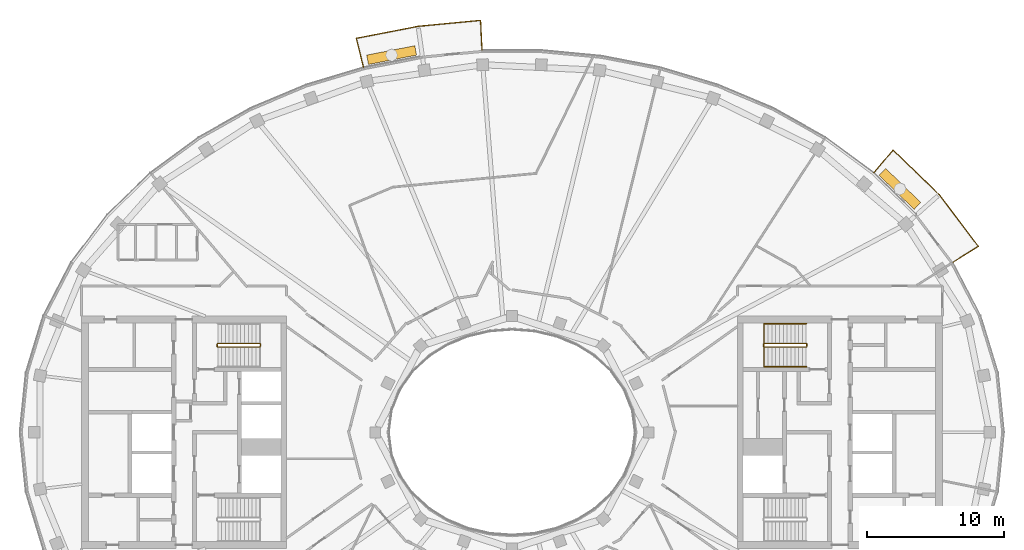
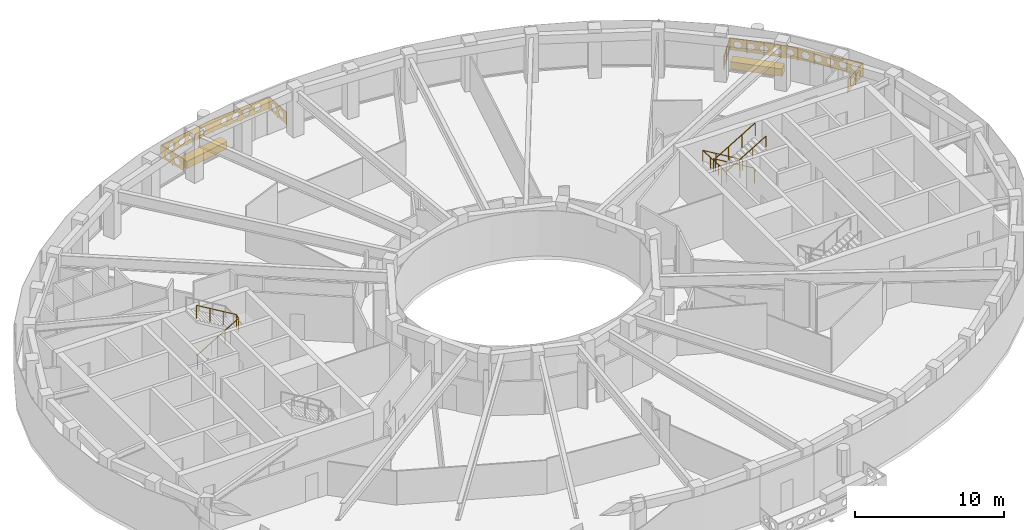
# One storey, part 19 of 20: 5 railings, 2 coverings.
"""IFC4 building model written with IfcOpenShell, lengths in metres."""

from ifc_helpers import new_model, si_unit, direction, frame, origin, origin_2d, place, context, subcontext, project, spatial, polyline, rectangle, outline, extrude, material, type_object, element, save


model = new_model("IFC4")

# Units and contexts
model_context = context("Model", 3, precision=1e-05, world=origin(), true_north=direction((0.0, 1.0)))
body_context = subcontext(model_context, "Body", "Model", "MODEL_VIEW")
ifc_project = project(units=[si_unit("LENGTHUNIT", "METRE"), si_unit("AREAUNIT", "SQUARE_METRE"), si_unit("VOLUMEUNIT", "CUBIC_METRE"), si_unit("PLANEANGLEUNIT", "RADIAN"), si_unit("MASSUNIT", "GRAM", prefix="KILO")], contexts=[model_context])

# Site, building, storey
site_placement = place(None, origin())
site = spatial("IfcSite", under=ifc_project, at=site_placement, CompositionType="ELEMENT")
building_placement = place(site_placement, origin())
building = spatial("IfcBuilding", under=site, at=building_placement, Name="Noorbagh Ring Tower", CompositionType="ELEMENT")
storey_placement = place(building_placement, frame((0.0, 0.0, 323.0)))
storey = spatial("IfcBuildingStorey", under=building, at=storey_placement, Name="L70", CompositionType="ELEMENT", Elevation=323.0)

# Railings
ifc_material_1 = material(Name="Stainless steel", Category="steel")
railing_type_1 = type_object("IfcRailingType", Name="CORE-STAIR-GUARD", PredefinedType="GUARDRAIL", material=ifc_material_1)
railing_1_placement = place(storey_placement, frame((-21.580078125, 6.300048828125, 0.0)))
element("IfcRailing", 1, at=railing_1_placement, inside=storey, type_object=railing_type_1, Name="L70 ST1 stair guard", PredefinedType="GUARDRAIL", context=body_context, shape_type="SweptSolid", body=[
    extrude(rectangle(XDim=0.048095703125, YDim=0.048095703125, at=origin_2d()), frame((0.0, 0.0, 1.076171875), z_axis=(0.0, 1.0, 0.0), x_axis=(-1.0, 0.0, 0.0)), (0.0, 0.0, 1.0), 0.14990234375),
    extrude(rectangle(XDim=0.048095703125, YDim=0.048095703125, at=origin_2d()), frame((0.0, 0.14990234375, 1.076171875), z_axis=(0.188775798145, -0.754182335027, 0.628945707965), x_axis=(0.970072785993, 0.242814311512, 0.0)), (0.0, 0.0, 1.0), 0.26513671875),
    extrude(rectangle(XDim=0.048095703125, YDim=0.048095703125, at=origin_2d()), frame((0.050048828125, -0.050048828125, 1.24267578125), z_axis=(0.859308565015, 0.0, 0.511457515432), x_axis=(0.0, 1.0, 0.0)), (0.0, 0.0, 1.0), 3.58447265625),
    extrude(rectangle(XDim=0.048095703125, YDim=0.048095703125, at=origin_2d()), frame((3.130126953125, -0.050048828125, 3.076171875), z_axis=(0.707106781187, 0.707106781187, 0.0), x_axis=(-0.707106781187, 0.707106781187, 0.0)), (0.0, 0.0, 1.0), 0.07080078125),
    extrude(rectangle(XDim=0.048095703125, YDim=0.048095703125, at=origin_2d()), frame((3.18017578125, 0.0, 3.076171875), z_axis=(0.0, 1.0, 0.0), x_axis=(-1.0, 0.0, 0.0)), (0.0, 0.0, 1.0), 0.14990234375),
    extrude(rectangle(XDim=0.048095703125, YDim=0.048095703125, at=origin_2d()), frame((3.18017578125, 0.14990234375, 3.076171875), z_axis=(-0.27628659633, 0.27628659633, 0.920506074601), x_axis=(-0.707106781187, -0.707106781187, 0.0)), (0.0, 0.0, 1.0), 0.18115234375),
    extrude(rectangle(XDim=0.048095703125, YDim=0.048095703125, at=origin_2d()), frame((3.130126953125, 0.199951171875, 3.24267578125), z_axis=(-0.859308565015, 0.0, 0.511457515432), x_axis=(0.0, -1.0, 0.0)), (0.0, 0.0, 1.0), 3.58447265625),
    extrude(rectangle(XDim=0.0419921875, YDim=0.0419921875, at=origin_2d()), origin(), (0.0, 0.0, 1.0), 1.052001953125),
    extrude(rectangle(XDim=0.0419921875, YDim=0.0419921875, at=origin_2d()), frame((1.07666015625, -0.050048828125, 0.77783203125)), (0.0, 0.0, 1.0), 1.052001953125),
    extrude(rectangle(XDim=0.0419921875, YDim=0.0419921875, at=origin_2d()), frame((2.103515625, -0.050048828125, 1.388916015625)), (0.0, 0.0, 1.0), 1.052001953125),
    extrude(rectangle(XDim=0.0419921875, YDim=0.0419921875, at=origin_2d()), frame((3.130126953125, -0.050048828125, 2.0)), (0.0, 0.0, 1.0), 1.052001953125),
    extrude(rectangle(XDim=0.0419921875, YDim=0.0419921875, at=origin_2d()), frame((3.130126953125, 0.199951171875, 2.166748046875)), (0.0, 0.0, 1.0), 1.052001953125),
    extrude(rectangle(XDim=0.0419921875, YDim=0.0419921875, at=origin_2d()), frame((2.103515625, 0.199951171875, 2.77783203125)), (0.0, 0.0, 1.0), 1.052001953125),
    extrude(rectangle(XDim=0.0419921875, YDim=0.0419921875, at=origin_2d()), frame((1.07666015625, 0.199951171875, 3.388916015625)), (0.0, 0.0, 1.0), 1.052001953125),
    extrude(rectangle(XDim=0.0419921875, YDim=0.0419921875, at=origin_2d()), frame((0.050048828125, 0.199951171875, 4.0)), (0.0, 0.0, 1.0), 1.052001953125),
])
railing_2_placement = place(storey_placement, frame((21.580078125, 6.449951171875, 0.0)))
element("IfcRailing", 2, at=railing_2_placement, inside=storey, type_object=railing_type_1, Name="L70 ST3 stair guard", PredefinedType="GUARDRAIL", context=body_context, shape_type="SweptSolid", body=[
    extrude(rectangle(XDim=0.048095703125, YDim=0.048095703125, at=origin_2d()), frame((0.0, 0.0, 1.076171875), z_axis=(0.0, -1.0, 0.0), x_axis=(1.0, 0.0, 0.0)), (0.0, 0.0, 1.0), 0.14990234375),
    extrude(rectangle(XDim=0.048095703125, YDim=0.048095703125, at=origin_2d()), frame((0.0, -0.14990234375, 1.076171875), z_axis=(-0.188775798145, 0.754182335027, 0.628945707965), x_axis=(-0.970072785993, -0.242814311512, 0.0)), (0.0, 0.0, 1.0), 0.26513671875),
    extrude(rectangle(XDim=0.048095703125, YDim=0.048095703125, at=origin_2d()), frame((-0.050048828125, 0.050048828125, 1.24267578125), z_axis=(-0.859308565015, 0.0, 0.511457515432), x_axis=(0.0, -1.0, 0.0)), (0.0, 0.0, 1.0), 3.58447265625),
    extrude(rectangle(XDim=0.048095703125, YDim=0.048095703125, at=origin_2d()), frame((-3.130126953125, 0.050048828125, 3.076171875), z_axis=(-0.707106781187, -0.707106781187, 0.0), x_axis=(0.707106781187, -0.707106781187, 0.0)), (0.0, 0.0, 1.0), 0.07080078125),
    extrude(rectangle(XDim=0.048095703125, YDim=0.048095703125, at=origin_2d()), frame((-3.18017578125, 0.0, 3.076171875), z_axis=(0.0, -1.0, 0.0), x_axis=(1.0, 0.0, 0.0)), (0.0, 0.0, 1.0), 0.14990234375),
    extrude(rectangle(XDim=0.048095703125, YDim=0.048095703125, at=origin_2d()), frame((-3.18017578125, -0.14990234375, 3.076171875), z_axis=(0.27628659633, -0.27628659633, 0.920506074601), x_axis=(0.707106781187, 0.707106781187, 0.0)), (0.0, 0.0, 1.0), 0.18115234375),
    extrude(rectangle(XDim=0.048095703125, YDim=0.048095703125, at=origin_2d()), frame((-3.130126953125, -0.199951171875, 3.24267578125), z_axis=(0.859308565015, 0.0, 0.511457515432), x_axis=(0.0, 1.0, 0.0)), (0.0, 0.0, 1.0), 3.58447265625),
    extrude(rectangle(XDim=0.0419921875, YDim=0.0419921875, at=origin_2d()), origin(), (0.0, 0.0, 1.0), 1.052001953125),
    extrude(rectangle(XDim=0.0419921875, YDim=0.0419921875, at=origin_2d()), frame((-1.07666015625, 0.050048828125, 0.77783203125)), (0.0, 0.0, 1.0), 1.052001953125),
    extrude(rectangle(XDim=0.0419921875, YDim=0.0419921875, at=origin_2d()), frame((-2.103515625, 0.050048828125, 1.388916015625)), (0.0, 0.0, 1.0), 1.052001953125),
    extrude(rectangle(XDim=0.0419921875, YDim=0.0419921875, at=origin_2d()), frame((-3.130126953125, 0.050048828125, 2.0)), (0.0, 0.0, 1.0), 1.052001953125),
    extrude(rectangle(XDim=0.0419921875, YDim=0.0419921875, at=origin_2d()), frame((-3.130126953125, -0.199951171875, 2.166748046875)), (0.0, 0.0, 1.0), 1.052001953125),
    extrude(rectangle(XDim=0.0419921875, YDim=0.0419921875, at=origin_2d()), frame((-2.103515625, -0.199951171875, 2.77783203125)), (0.0, 0.0, 1.0), 1.052001953125),
    extrude(rectangle(XDim=0.0419921875, YDim=0.0419921875, at=origin_2d()), frame((-1.07666015625, -0.199951171875, 3.388916015625)), (0.0, 0.0, 1.0), 1.052001953125),
    extrude(rectangle(XDim=0.0419921875, YDim=0.0419921875, at=origin_2d()), frame((-0.050048828125, -0.199951171875, 4.0)), (0.0, 0.0, 1.0), 1.052001953125),
])
ifc_material_2 = material(Name="Stainless steel", Category="steel")
railing_type_2 = type_object("IfcRailingType", Name="CORE-STAIR-HANDRAIL", PredefinedType="HANDRAIL", material=ifc_material_2)
railing_3_placement = place(storey_placement, frame((21.530029296875, 7.949951171875, 0.166748046875)))
element("IfcRailing", 3, at=railing_3_placement, inside=storey, type_object=railing_type_2, Name="L70 ST3 stair handrail", PredefinedType="HANDRAIL", context=body_context, shape_type="SweptSolid", body=[
    extrude(rectangle(XDim=0.048095703125, YDim=0.048095703125, at=origin_2d()), frame((0.0, 0.0, 0.8759765625), z_axis=(-0.859308565015, 0.0, 0.511457515432), x_axis=(0.0, -1.0, 0.0)), (0.0, 0.0, 1.0), 3.58447265625),
    extrude(rectangle(XDim=0.048095703125, YDim=0.048095703125, at=origin_2d()), frame((-3.080078125, 0.0, 2.708984375), z_axis=(0.0, -0.998601747152, 0.052863509014), x_axis=(1.0, 0.0, 0.0)), (0.0, 0.0, 1.0), 3.154296875),
    extrude(rectangle(XDim=0.048095703125, YDim=0.048095703125, at=origin_2d()), frame((-3.080078125, -3.14990234375, 2.8759765625), z_axis=(0.859308565015, 0.0, 0.511457515432), x_axis=(0.0, 1.0, 0.0)), (0.0, 0.0, 1.0), 3.58447265625),
    extrude(rectangle(XDim=0.0419921875, YDim=0.0419921875, at=origin_2d()), origin(), (0.0, 0.0, 1.0), 0.851806640625),
    extrude(rectangle(XDim=0.0419921875, YDim=0.0419921875, at=origin_2d()), frame((-1.026611328125, 0.0, 0.611083984375)), (0.0, 0.0, 1.0), 0.851806640625),
    extrude(rectangle(XDim=0.0419921875, YDim=0.0419921875, at=origin_2d()), frame((-2.053466796875, 0.0, 1.22216796875)), (0.0, 0.0, 1.0), 0.851806640625),
    extrude(rectangle(XDim=0.0419921875, YDim=0.0419921875, at=origin_2d()), frame((-3.080078125, 0.0, 1.833251953125)), (0.0, 0.0, 1.0), 0.851806640625),
    extrude(rectangle(XDim=0.0419921875, YDim=0.0419921875, at=origin_2d()), frame((-3.080078125, -1.050048828125, 1.888916015625)), (0.0, 0.0, 1.0), 0.851806640625),
    extrude(rectangle(XDim=0.0419921875, YDim=0.0419921875, at=origin_2d()), frame((-3.080078125, -2.099853515625, 1.9443359375)), (0.0, 0.0, 1.0), 0.851806640625),
    extrude(rectangle(XDim=0.0419921875, YDim=0.0419921875, at=origin_2d()), frame((-3.080078125, -3.14990234375, 2.0)), (0.0, 0.0, 1.0), 0.851806640625),
    extrude(rectangle(XDim=0.0419921875, YDim=0.0419921875, at=origin_2d()), frame((-2.053466796875, -3.14990234375, 2.611083984375)), (0.0, 0.0, 1.0), 0.851806640625),
    extrude(rectangle(XDim=0.0419921875, YDim=0.0419921875, at=origin_2d()), frame((-1.026611328125, -3.14990234375, 3.22216796875)), (0.0, 0.0, 1.0), 0.851806640625),
    extrude(rectangle(XDim=0.0419921875, YDim=0.0419921875, at=origin_2d()), frame((0.0, -3.14990234375, 3.833251953125)), (0.0, 0.0, 1.0), 0.851806640625),
])
ifc_material_3 = material(Name="Steel S275 black powder-coated", Category="steel")
railing_type_3 = type_object("IfcRailingType", Name="ENV-GUARD", PredefinedType="GUARDRAIL", material=ifc_material_3)
railing_4_placement = place(storey_placement, frame((32.255126953125, 12.434814453125, 0.0)))
element("IfcRailing", 4, at=railing_4_placement, inside=storey, type_object=railing_type_3, Name="Balcony guard BN01", PredefinedType="GUARDRAIL", context=body_context, shape_type="SweptSolid", body=[
    extrude(rectangle(XDim=0.048095703125, YDim=0.048095703125, at=origin_2d()), frame((0.0, 0.0, 1.076171875), z_axis=(0.844852397829, 0.534999463442, 0.0), x_axis=(-0.534999463442, 0.844852397829, 0.0)), (0.0, 0.0, 1.0), 2.207763671875),
    extrude(rectangle(XDim=0.048095703125, YDim=0.048095703125, at=origin_2d()), frame((1.865234375, 1.18115234375, 1.076171875), z_axis=(-0.604001613322, 0.796983093362, 0.0), x_axis=(-0.796983093362, -0.604001613322, 0.0)), (0.0, 0.0, 1.0), 4.7353515625),
    extrude(rectangle(XDim=0.048095703125, YDim=0.048095703125, at=origin_2d()), frame((-0.994873046875, 4.955078125, 1.076171875), z_axis=(-0.717212632946, 0.696854388766, 0.0), x_axis=(-0.696854388766, -0.717212632946, 0.0)), (0.0, 0.0, 1.0), 4.700927734375),
    extrude(rectangle(XDim=0.048095703125, YDim=0.048095703125, at=origin_2d()), frame((-4.366455078125, 8.23095703125, 1.076171875), z_axis=(-0.646413574048, -0.762987215677, 0.0), x_axis=(0.762987215677, -0.646413574048, 0.0)), (0.0, 0.0, 1.0), 2.205322265625),
    extrude(rectangle(XDim=0.0419921875, YDim=0.0419921875, at=origin_2d()), origin(), (0.0, 0.0, 1.0), 1.052001953125),
    extrude(rectangle(XDim=0.0419921875, YDim=0.0419921875, at=origin_2d()), frame((0.9326171875, 0.590576171875, 0.0)), (0.0, 0.0, 1.0), 1.052001953125),
    extrude(rectangle(XDim=0.0419921875, YDim=0.0419921875, at=origin_2d()), frame((1.865234375, 1.18115234375, 0.0)), (0.0, 0.0, 1.0), 1.052001953125),
    extrude(rectangle(XDim=0.0419921875, YDim=0.0419921875, at=origin_2d()), frame((1.150146484375, 2.12451171875, 0.0)), (0.0, 0.0, 1.0), 1.052001953125),
    extrude(rectangle(XDim=0.0419921875, YDim=0.0419921875, at=origin_2d()), frame((0.43505859375, 3.068115234375, 0.0)), (0.0, 0.0, 1.0), 1.052001953125),
    extrude(rectangle(XDim=0.0419921875, YDim=0.0419921875, at=origin_2d()), frame((-0.27978515625, 4.01171875, 0.0)), (0.0, 0.0, 1.0), 1.052001953125),
    extrude(rectangle(XDim=0.0419921875, YDim=0.0419921875, at=origin_2d()), frame((-0.994873046875, 4.955078125, 0.0)), (0.0, 0.0, 1.0), 1.052001953125),
    extrude(rectangle(XDim=0.0419921875, YDim=0.0419921875, at=origin_2d()), frame((-1.837890625, 5.77392578125, 0.0)), (0.0, 0.0, 1.0), 1.052001953125),
    extrude(rectangle(XDim=0.0419921875, YDim=0.0419921875, at=origin_2d()), frame((-2.6806640625, 6.593017578125, 0.0)), (0.0, 0.0, 1.0), 1.052001953125),
    extrude(rectangle(XDim=0.0419921875, YDim=0.0419921875, at=origin_2d()), frame((-3.5234375, 7.412109375, 0.0)), (0.0, 0.0, 1.0), 1.052001953125),
    extrude(rectangle(XDim=0.0419921875, YDim=0.0419921875, at=origin_2d()), frame((-4.366455078125, 8.23095703125, 0.0)), (0.0, 0.0, 1.0), 1.052001953125),
    extrude(rectangle(XDim=0.0419921875, YDim=0.0419921875, at=origin_2d()), frame((-5.0791015625, 7.3896484375, 0.0)), (0.0, 0.0, 1.0), 1.052001953125),
    extrude(rectangle(XDim=0.0419921875, YDim=0.0419921875, at=origin_2d()), frame((-5.7919921875, 6.54833984375, 0.0)), (0.0, 0.0, 1.0), 1.052001953125),
    extrude(outline(polyline([(0.0, 0.10009765625), (2.207763671875, 0.10009765625), (2.207763671875, 1.031982421875), (0.0, 1.031982421875), (0.0, 0.10009765625)]), holes=[polyline([(0.9638671875, 0.56591796875), (0.808837890625, 0.83447265625), (0.498779296875, 0.83447265625), (0.343994140625, 0.56591796875), (0.498779296875, 0.297607421875), (0.808837890625, 0.297607421875), (0.9638671875, 0.56591796875)]), polyline([(1.86376953125, 0.56591796875), (1.708984375, 0.83447265625), (1.39892578125, 0.83447265625), (1.243896484375, 0.56591796875), (1.39892578125, 0.297607421875), (1.708984375, 0.297607421875), (1.86376953125, 0.56591796875)])]), frame((-0.00537109375, 0.008544921875, 0.0), z_axis=(0.534999463442, -0.844852397829, 0.0), x_axis=(0.844852397829, 0.534999463442, 0.0)), (0.0, 0.0, 1.0), 0.02001953125),
    extrude(outline(polyline([(0.0, 0.10009765625), (4.7353515625, 0.10009765625), (4.7353515625, 1.031982421875), (0.0, 1.031982421875), (0.0, 0.10009765625)]), holes=[polyline([(0.877685546875, 0.56591796875), (0.72265625, 0.83447265625), (0.41259765625, 0.83447265625), (0.257568359375, 0.56591796875), (0.41259765625, 0.297607421875), (0.72265625, 0.297607421875), (0.877685546875, 0.56591796875)]), polyline([(1.777587890625, 0.56591796875), (1.62255859375, 0.83447265625), (1.312744140625, 0.83447265625), (1.15771484375, 0.56591796875), (1.312744140625, 0.297607421875), (1.62255859375, 0.297607421875), (1.777587890625, 0.56591796875)]), polyline([(2.677734375, 0.56591796875), (2.522705078125, 0.83447265625), (2.212646484375, 0.83447265625), (2.0576171875, 0.56591796875), (2.212646484375, 0.297607421875), (2.522705078125, 0.297607421875), (2.677734375, 0.56591796875)]), polyline([(3.57763671875, 0.56591796875), (3.422607421875, 0.83447265625), (3.112548828125, 0.83447265625), (2.95751953125, 0.56591796875), (3.112548828125, 0.297607421875), (3.422607421875, 0.297607421875), (3.57763671875, 0.56591796875)]), polyline([(4.4775390625, 0.56591796875), (4.32275390625, 0.83447265625), (4.0126953125, 0.83447265625), (3.857666015625, 0.56591796875), (4.0126953125, 0.297607421875), (4.32275390625, 0.297607421875), (4.4775390625, 0.56591796875)])]), frame((1.857177734375, 1.175048828125, 0.0), z_axis=(0.796983093362, 0.604001613322, 0.0), x_axis=(-0.604001613322, 0.796983093362, 0.0)), (0.0, 0.0, 1.0), 0.02001953125),
    extrude(outline(polyline([(0.0, 0.10009765625), (4.700927734375, 0.10009765625), (4.700927734375, 1.031982421875), (0.0, 1.031982421875), (0.0, 0.10009765625)]), holes=[polyline([(0.860595703125, 0.56591796875), (0.70556640625, 0.83447265625), (0.3955078125, 0.83447265625), (0.240478515625, 0.56591796875), (0.3955078125, 0.297607421875), (0.70556640625, 0.297607421875), (0.860595703125, 0.56591796875)]), polyline([(1.760498046875, 0.56591796875), (1.60546875, 0.83447265625), (1.29541015625, 0.83447265625), (1.140380859375, 0.56591796875), (1.29541015625, 0.297607421875), (1.60546875, 0.297607421875), (1.760498046875, 0.56591796875)]), polyline([(2.660400390625, 0.56591796875), (2.50537109375, 0.83447265625), (2.195556640625, 0.83447265625), (2.04052734375, 0.56591796875), (2.195556640625, 0.297607421875), (2.50537109375, 0.297607421875), (2.660400390625, 0.56591796875)]), polyline([(3.560546875, 0.56591796875), (3.405517578125, 0.83447265625), (3.095458984375, 0.83447265625), (2.9404296875, 0.56591796875), (3.095458984375, 0.297607421875), (3.405517578125, 0.297607421875), (3.560546875, 0.56591796875)]), polyline([(4.46044921875, 0.56591796875), (4.305419921875, 0.83447265625), (3.995361328125, 0.83447265625), (3.840576171875, 0.56591796875), (3.995361328125, 0.297607421875), (4.305419921875, 0.297607421875), (4.46044921875, 0.56591796875)])]), frame((-1.001953125, 4.947998046875, 0.0), z_axis=(0.696854388766, 0.717212632946, 0.0), x_axis=(-0.717212632946, 0.696854388766, 0.0)), (0.0, 0.0, 1.0), 0.02001953125),
    extrude(outline(polyline([(0.0, 0.10009765625), (2.205322265625, 0.10009765625), (2.205322265625, 1.031982421875), (0.0, 1.031982421875), (0.0, 0.10009765625)]), holes=[polyline([(0.962646484375, 0.56591796875), (0.8076171875, 0.83447265625), (0.49755859375, 0.83447265625), (0.342529296875, 0.56591796875), (0.49755859375, 0.297607421875), (0.8076171875, 0.297607421875), (0.962646484375, 0.56591796875)]), polyline([(1.862548828125, 0.56591796875), (1.707763671875, 0.83447265625), (1.397705078125, 0.83447265625), (1.24267578125, 0.56591796875), (1.397705078125, 0.297607421875), (1.707763671875, 0.297607421875), (1.862548828125, 0.56591796875)])]), frame((-4.35888671875, 8.224609375, 0.0), z_axis=(-0.762987215677, 0.646413574048, 0.0), x_axis=(-0.646413574048, -0.762987215677, 0.0)), (0.0, 0.0, 1.0), 0.02001953125),
])
railing_5_placement = place(storey_placement, frame((-2.193115234375, 27.947998046875, 0.0)))
element("IfcRailing", 5, at=railing_5_placement, inside=storey, type_object=railing_type_3, Name="Balcony guard BN04", PredefinedType="GUARDRAIL", context=body_context, shape_type="SweptSolid", body=[
    extrude(rectangle(XDim=0.048095703125, YDim=0.048095703125, at=origin_2d()), frame((0.0, 0.0, 1.076171875), z_axis=(-0.047554616162, 0.998868639252, 0.0), x_axis=(-0.998868639252, -0.047554616162, 0.0)), (0.0, 0.0, 1.0), 2.202392578125),
    extrude(rectangle(XDim=0.048095703125, YDim=0.048095703125, at=origin_2d()), frame((-0.104736328125, 2.199951171875, 1.076171875), z_axis=(-0.995477555764, -0.094997031379, 0.0), x_axis=(0.094997031379, -0.995477555764, 0.0)), (0.0, 0.0, 1.0), 4.59765625),
    extrude(rectangle(XDim=0.048095703125, YDim=0.048095703125, at=origin_2d()), frame((-4.681640625, 1.76318359375, 1.076171875), z_axis=(-0.981625049064, -0.1908199755, 0.0), x_axis=(0.1908199755, -0.981625049064, 0.0)), (0.0, 0.0, 1.0), 4.603271484375),
    extrude(rectangle(XDim=0.048095703125, YDim=0.048095703125, at=origin_2d()), frame((-9.200439453125, 0.884765625, 1.076171875), z_axis=(0.239848558412, -0.970810315679, 0.0), x_axis=(0.970810315679, 0.239848558412, 0.0)), (0.0, 0.0, 1.0), 2.20263671875),
    extrude(rectangle(XDim=0.0419921875, YDim=0.0419921875, at=origin_2d()), origin(), (0.0, 0.0, 1.0), 1.052001953125),
    extrude(rectangle(XDim=0.0419921875, YDim=0.0419921875, at=origin_2d()), frame((-0.05224609375, 1.10009765625, 0.0)), (0.0, 0.0, 1.0), 1.052001953125),
    extrude(rectangle(XDim=0.0419921875, YDim=0.0419921875, at=origin_2d()), frame((-0.104736328125, 2.199951171875, 0.0)), (0.0, 0.0, 1.0), 1.052001953125),
    extrude(rectangle(XDim=0.0419921875, YDim=0.0419921875, at=origin_2d()), frame((-1.2490234375, 2.0908203125, 0.0)), (0.0, 0.0, 1.0), 1.052001953125),
    extrude(rectangle(XDim=0.0419921875, YDim=0.0419921875, at=origin_2d()), frame((-2.39306640625, 1.9814453125, 0.0)), (0.0, 0.0, 1.0), 1.052001953125),
    extrude(rectangle(XDim=0.0419921875, YDim=0.0419921875, at=origin_2d()), frame((-3.537353515625, 1.872314453125, 0.0)), (0.0, 0.0, 1.0), 1.052001953125),
    extrude(rectangle(XDim=0.0419921875, YDim=0.0419921875, at=origin_2d()), frame((-4.681640625, 1.76318359375, 0.0)), (0.0, 0.0, 1.0), 1.052001953125),
    extrude(rectangle(XDim=0.0419921875, YDim=0.0419921875, at=origin_2d()), frame((-5.811279296875, 1.54345703125, 0.0)), (0.0, 0.0, 1.0), 1.052001953125),
    extrude(rectangle(XDim=0.0419921875, YDim=0.0419921875, at=origin_2d()), frame((-6.94091796875, 1.323974609375, 0.0)), (0.0, 0.0, 1.0), 1.052001953125),
    extrude(rectangle(XDim=0.0419921875, YDim=0.0419921875, at=origin_2d()), frame((-8.07080078125, 1.1044921875, 0.0)), (0.0, 0.0, 1.0), 1.052001953125),
    extrude(rectangle(XDim=0.0419921875, YDim=0.0419921875, at=origin_2d()), frame((-9.200439453125, 0.884765625, 0.0)), (0.0, 0.0, 1.0), 1.052001953125),
    extrude(rectangle(XDim=0.0419921875, YDim=0.0419921875, at=origin_2d()), frame((-8.936279296875, -0.1845703125, 0.0)), (0.0, 0.0, 1.0), 1.052001953125),
    extrude(rectangle(XDim=0.0419921875, YDim=0.0419921875, at=origin_2d()), frame((-8.672119140625, -1.253662109375, 0.0)), (0.0, 0.0, 1.0), 1.052001953125),
    extrude(outline(polyline([(0.0, 0.10009765625), (2.202392578125, 0.10009765625), (2.202392578125, 1.031982421875), (0.0, 1.031982421875), (0.0, 0.10009765625)]), holes=[polyline([(0.961181640625, 0.56591796875), (0.80615234375, 0.83447265625), (0.496337890625, 0.83447265625), (0.34130859375, 0.56591796875), (0.496337890625, 0.297607421875), (0.80615234375, 0.297607421875), (0.961181640625, 0.56591796875)]), polyline([(1.861328125, 0.56591796875), (1.706298828125, 0.83447265625), (1.396240234375, 0.83447265625), (1.2412109375, 0.56591796875), (1.396240234375, 0.297607421875), (1.706298828125, 0.297607421875), (1.861328125, 0.56591796875)])]), frame((-0.010009765625, -0.00048828125, 0.0), z_axis=(0.998868639252, 0.047554616162, 0.0), x_axis=(-0.047554616162, 0.998868639252, 0.0)), (0.0, 0.0, 1.0), 0.02001953125),
    extrude(outline(polyline([(0.0, 0.10009765625), (4.59765625, 0.10009765625), (4.59765625, 1.031982421875), (0.0, 1.031982421875), (0.0, 0.10009765625)]), holes=[polyline([(1.2587890625, 0.56591796875), (1.103759765625, 0.83447265625), (0.7939453125, 0.83447265625), (0.638916015625, 0.56591796875), (0.7939453125, 0.297607421875), (1.103759765625, 0.297607421875), (1.2587890625, 0.56591796875)]), polyline([(2.158935546875, 0.56591796875), (2.00390625, 0.83447265625), (1.69384765625, 0.83447265625), (1.538818359375, 0.56591796875), (1.69384765625, 0.297607421875), (2.00390625, 0.297607421875), (2.158935546875, 0.56591796875)]), polyline([(3.058837890625, 0.56591796875), (2.90380859375, 0.83447265625), (2.59375, 0.83447265625), (2.43896484375, 0.56591796875), (2.59375, 0.297607421875), (2.90380859375, 0.297607421875), (3.058837890625, 0.56591796875)]), polyline([(3.958740234375, 0.56591796875), (3.803955078125, 0.83447265625), (3.493896484375, 0.83447265625), (3.3388671875, 0.56591796875), (3.493896484375, 0.297607421875), (3.803955078125, 0.297607421875), (3.958740234375, 0.56591796875)])]), frame((-0.103759765625, 2.18994140625, 0.0), z_axis=(-0.094997031379, 0.995477555764, 0.0), x_axis=(-0.995477555764, -0.094997031379, 0.0)), (0.0, 0.0, 1.0), 0.02001953125),
    extrude(outline(polyline([(0.0, 0.10009765625), (4.603271484375, 0.10009765625), (4.603271484375, 1.031982421875), (0.0, 1.031982421875), (0.0, 0.10009765625)]), holes=[polyline([(1.26171875, 0.56591796875), (1.106689453125, 0.83447265625), (0.796630859375, 0.83447265625), (0.6416015625, 0.56591796875), (0.796630859375, 0.297607421875), (1.106689453125, 0.297607421875), (1.26171875, 0.56591796875)]), polyline([(2.16162109375, 0.56591796875), (2.006591796875, 0.83447265625), (1.69677734375, 0.83447265625), (1.541748046875, 0.56591796875), (1.69677734375, 0.297607421875), (2.006591796875, 0.297607421875), (2.16162109375, 0.56591796875)]), polyline([(3.061767578125, 0.56591796875), (2.90673828125, 0.83447265625), (2.5966796875, 0.83447265625), (2.441650390625, 0.56591796875), (2.5966796875, 0.297607421875), (2.90673828125, 0.297607421875), (3.061767578125, 0.56591796875)]), polyline([(3.961669921875, 0.56591796875), (3.806640625, 0.83447265625), (3.49658203125, 0.83447265625), (3.341796875, 0.56591796875), (3.49658203125, 0.297607421875), (3.806640625, 0.297607421875), (3.961669921875, 0.56591796875)])]), frame((-4.6796875, 1.75341796875, 0.0), z_axis=(-0.1908199755, 0.981625049064, 0.0), x_axis=(-0.981625049064, -0.1908199755, 0.0)), (0.0, 0.0, 1.0), 0.02001953125),
    extrude(outline(polyline([(0.0, 0.10009765625), (2.20263671875, 0.10009765625), (2.20263671875, 1.031982421875), (0.0, 1.031982421875), (0.0, 0.10009765625)]), holes=[polyline([(0.96142578125, 0.56591796875), (0.806396484375, 0.83447265625), (0.496337890625, 0.83447265625), (0.34130859375, 0.56591796875), (0.496337890625, 0.297607421875), (0.806396484375, 0.297607421875), (0.96142578125, 0.56591796875)]), polyline([(1.861328125, 0.56591796875), (1.706298828125, 0.83447265625), (1.396240234375, 0.83447265625), (1.241455078125, 0.56591796875), (1.396240234375, 0.297607421875), (1.706298828125, 0.297607421875), (1.861328125, 0.56591796875)])]), frame((-9.190673828125, 0.88720703125, 0.0), z_axis=(-0.970810315679, -0.239848558412, 0.0), x_axis=(0.239848558412, -0.970810315679, 0.0)), (0.0, 0.0, 1.0), 0.02001953125),
])

# Coverings
ifc_material_4 = material(Name="Concrete C30/37 planter with soil", Category="concrete")
covering_type = type_object("IfcCoveringType", Name="ENV-PLANTER", PredefinedType="CLADDING", material=ifc_material_4)
covering_1_placement = place(storey_placement, frame((28.3837890625, 17.814208984375, 0.0), z_axis=(0.0, 0.0, 1.0), x_axis=(-0.717224548362, 0.696842125038, 0.0)))
element("IfcCovering", 6, at=covering_1_placement, inside=storey, type_object=covering_type, Name="PLANTER BN01", ObjectType="PLANTER", PredefinedType="CLADDING", context=body_context, shape_type="SweptSolid", body=[
    extrude(rectangle(XDim=3.584228515625, YDim=0.699951171875, at=origin_2d()), origin(), (0.0, 0.0, 1.0), 0.60009765625),
])
covering_2_placement = place(storey_placement, frame((-8.807861328125, 27.603515625, 0.0), z_axis=(0.0, 0.0, 1.0), x_axis=(-0.981624952922, -0.190820470077, 0.0)))
element("IfcCovering", 7, at=covering_2_placement, inside=storey, type_object=covering_type, Name="PLANTER BN04", ObjectType="PLANTER", PredefinedType="CLADDING", context=body_context, shape_type="SweptSolid", body=[
    extrude(rectangle(XDim=3.586181640625, YDim=0.699951171875, at=origin_2d()), origin(), (0.0, 0.0, 1.0), 0.60009765625),
])

save(model, "model.ifc")
